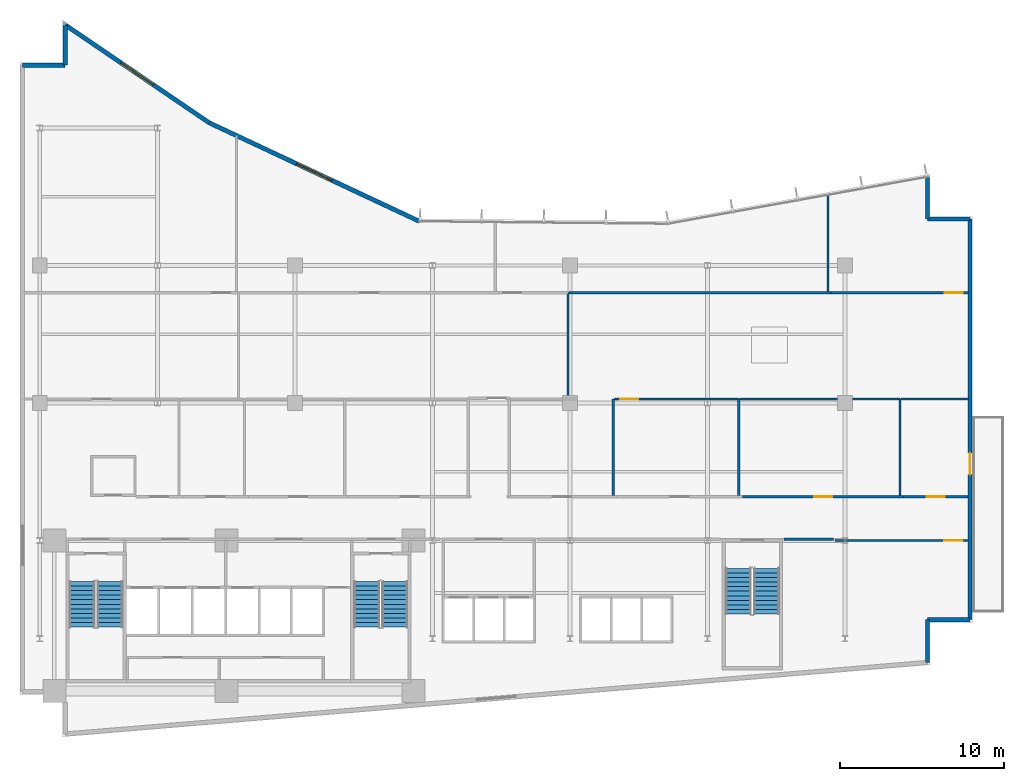
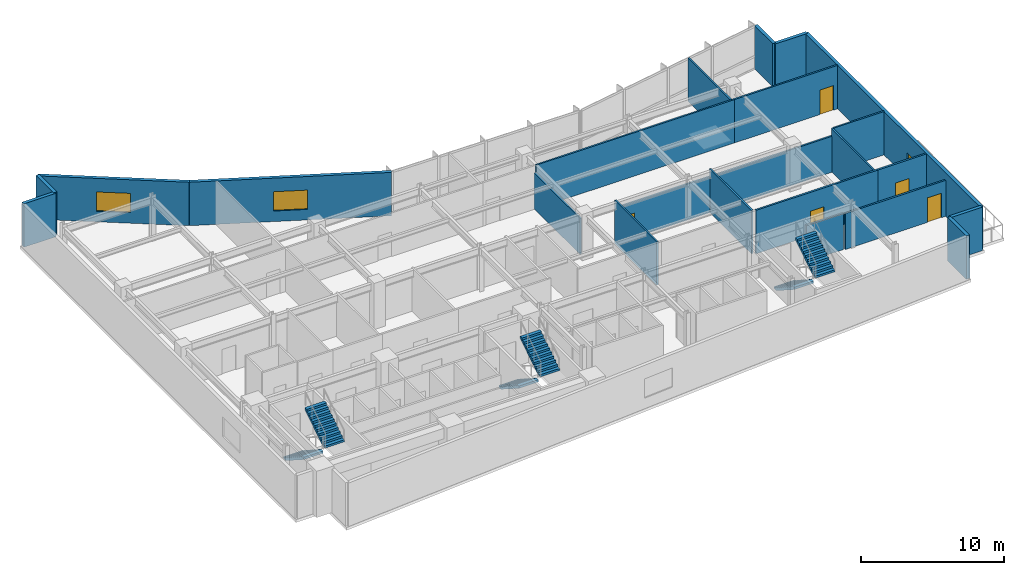
# One storey, part 12 of 18: 23 walls, 6 doors, 6 stair flights, 2 windows, 8 openings, 3 elements without a shape of their own.
"""IFC4 building model written with IfcOpenShell, lengths in metres."""

from ifc_helpers import new_model, si_unit, direction, frame, frame_2d, origin, place, context, subcontext, project, spatial, polyline, rectangle, outline, extrude, material, layer, layer_set, type_object, element, fill, aggregate, save


model = new_model("IFC4")

# Units and contexts
model_context = context("Model", 3, precision=1e-05, world=origin(), true_north=direction((0.0, 1.0)))
body_context = subcontext(model_context, "Body", "Model", "MODEL_VIEW")
ifc_project = project(units=[si_unit("LENGTHUNIT", "METRE"), si_unit("AREAUNIT", "SQUARE_METRE"), si_unit("VOLUMEUNIT", "CUBIC_METRE"), si_unit("PLANEANGLEUNIT", "RADIAN"), si_unit("MASSUNIT", "GRAM", prefix="KILO")], contexts=[model_context])

# Site, building, storey
site_placement = place(None, origin())
site = spatial("IfcSite", under=ifc_project, at=site_placement, CompositionType="ELEMENT")
building_placement = place(site_placement, origin())
building = spatial("IfcBuilding", under=site, at=building_placement, Name="Varnakote Quay Hospital", CompositionType="ELEMENT")
storey_placement = place(building_placement, frame((0.0, 0.0, 30.39990234375)))
storey = spatial("IfcBuildingStorey", under=building, at=storey_placement, Name="L07", CompositionType="ELEMENT", Elevation=30.39990234375)

# Walls
ifc_material_1 = material(Name="Fire-rated acoustic gypsum stud wall", Category="gypsum")
ifc_layer_1 = layer(ifc_material_1, 0.159912109375)
ifc_layer_set_1 = layer_set([ifc_layer_1], Name="Fire-rated acoustic gypsum stud wall")
wall_type_1 = type_object("IfcWallType", Name="WL-COMP-160", PredefinedType="PARTITIONING", material=ifc_layer_set_1)
wall_1_placement = place(storey_placement, frame((46.689208984375, 12.080078125, 0.0), z_axis=(0.0, 0.0, 1.0), x_axis=(1.0, 0.0, 0.0)))
element("IfcWall", 1, at=wall_1_placement, inside=storey, type_object=wall_type_1, Name="L07 Corridor South Gap Wall", PredefinedType="PARTITIONING", context=body_context, shape_type="SweptSolid", body=[
    extrude(rectangle(XDim=3.0107421875, YDim=0.159912109375, at=frame_2d((1.50537109375, 0.0))), origin(), (0.0, 0.0, 1.0), 3.072998046875),
])
ifc_material_2 = material(Name="Precast concrete N50 (f'c 50 MPa)", Category="concrete")
ifc_layer_2 = layer(ifc_material_2, 0.260009765625)
ifc_layer_set_2 = layer_set([ifc_layer_2], Name="Precast concrete N50 (f'c 50 MPa)")
wall_type_2 = type_object("IfcWallType", Name="WL-EXT-BRICK-260", PredefinedType="STANDARD", material=ifc_layer_set_2)
wall_2_placement = place(storey_placement, frame((55.43994140625, 4.54736328125, 0.0), z_axis=(0.0, 0.0, 1.0), x_axis=(0.0, 1.0, 0.0)))
element("IfcWall", 2, at=wall_2_placement, inside=storey, type_object=wall_type_2, Name="L07 Brick-Faced Precast Exterior Wall", PredefinedType="STANDARD", context=body_context, shape_type="SweptSolid", body=[
    extrude(rectangle(XDim=2.612548828125, YDim=0.260009765625, at=frame_2d((1.30615234375, 0.0))), origin(), (0.0, 0.0, 1.0), 3.710205078125),
])
wall_3_placement = place(storey_placement, frame((55.43994140625, 7.159912109375, 0.0), z_axis=(0.0, 0.0, 1.0), x_axis=(1.0, 0.0, 0.0)))
element("IfcWall", 3, at=wall_3_placement, inside=storey, type_object=wall_type_2, Name="L07 Brick-Faced Precast Exterior Wall", PredefinedType="STANDARD", context=body_context, shape_type="SweptSolid", body=[
    extrude(rectangle(XDim=2.60009765625, YDim=0.260009765625, at=frame_2d((1.300048828125, 0.0))), origin(), (0.0, 0.0, 1.0), 3.710205078125),
])

# Wall, opening, door
wall_4_placement = place(storey_placement, frame((58.0400390625, 7.159912109375, 0.0), z_axis=(0.0, 0.0, 1.0), x_axis=(0.0, 1.0, 0.0)))
wall_4 = element("IfcWall", 4, at=wall_4_placement, inside=storey, type_object=wall_type_2, Name="L07 Healing Terrace Portal Brick Wall", PredefinedType="STANDARD", context=body_context, shape_type="SweptSolid", body=[
    extrude(rectangle(XDim=24.47998046875, YDim=0.260009765625, at=frame_2d((12.239990234375, 0.0))), origin(), (0.0, 0.0, 1.0), 3.710205078125),
])
opening_1_placement = place(wall_4_placement, frame((8.8701171875, 0.0, 0.0)))
opening_1 = element("IfcOpeningElement", 5, at=opening_1_placement, cuts=wall_4, Name="Opening DT-L07", PredefinedType="OPENING", context=body_context, shape_type="SweptSolid", body=[
    extrude(rectangle(XDim=1.300048828125, YDim=2.14990234375, at=frame_2d((0.64990234375, 1.074951171875))), frame((0.0, 0.139892578125, 0.0), z_axis=(0.0, -1.0, 0.0), x_axis=(1.0, 0.0, 0.0)), (0.0, 0.0, 1.0), 0.280029296875),
])
ifc_material_3 = material(Name="Anodised aluminium glazed terrace door", Category="aluminium")
door_type_1 = type_object("IfcDoorType", Name="DR-EXT-TERR-1300x2150", OperationType="NOTDEFINED", PredefinedType="DOOR", material=ifc_material_3)
door_1_placement = place(opening_1_placement, origin())
door_1 = element("IfcDoor", 6, at=door_1_placement, inside=storey, type_object=door_type_1, Name="L07 Waterfront Healing Terrace Door", OperationType="SINGLE_SWING_RIGHT", OverallHeight=2.14990234375, OverallWidth=1.300048828125, PredefinedType="DOOR", context=body_context, shape_type="SweptSolid", body=[
    extrude(rectangle(XDim=1.300048828125, YDim=2.14990234375, at=frame_2d((0.64990234375, 1.074951171875))), frame((0.0, 0.02490234375, 0.0), z_axis=(0.0, -1.0, 0.0), x_axis=(1.0, 0.0, 0.0)), (0.0, 0.0, 1.0), 0.050048828125),
])
fill(opening_1, door_1)

# Walls
wall_5_placement = place(storey_placement, frame((58.0400390625, 31.639892578125, 0.0), z_axis=(0.0, 0.0, 1.0), x_axis=(-1.0, 0.0, 0.0)))
element("IfcWall", 7, at=wall_5_placement, inside=storey, type_object=wall_type_2, Name="L07 Brick-Faced Precast Exterior Wall", PredefinedType="STANDARD", context=body_context, shape_type="SweptSolid", body=[
    extrude(rectangle(XDim=2.60009765625, YDim=0.260009765625, at=frame_2d((1.300048828125, 0.0))), origin(), (0.0, 0.0, 1.0), 3.710205078125),
])
wall_6_placement = place(storey_placement, frame((55.43994140625, 31.639892578125, 0.0), z_axis=(0.0, 0.0, 1.0), x_axis=(0.0, 1.0, 0.0)))
element("IfcWall", 8, at=wall_6_placement, inside=storey, type_object=wall_type_2, Name="L07 Brick-Faced Precast Exterior Wall", PredefinedType="STANDARD", context=body_context, shape_type="SweptSolid", body=[
    extrude(rectangle(XDim=2.568603515625, YDim=0.260009765625, at=frame_2d((1.2841796875, 0.0))), origin(), (0.0, 0.0, 1.0), 3.710205078125),
])

# Wall, opening, window
wall_7_placement = place(storey_placement, frame((24.40771484375, 31.4921875, 0.0), z_axis=(0.0, 0.0, 1.0), x_axis=(-0.905396522918, 0.424566998585, 0.0)))
wall_7 = element("IfcWall", 9, at=wall_7_placement, inside=storey, type_object=wall_type_2, Name="L07 Brick-Faced Precast Exterior Wall", PredefinedType="STANDARD", context=body_context, shape_type="SweptSolid", body=[
    extrude(rectangle(XDim=14.189453125, YDim=0.260009765625, at=frame_2d((7.0947265625, 0.0))), origin(), (0.0, 0.0, 1.0), 3.710205078125),
])
opening_2_placement = place(wall_7_placement, frame((5.894775390625, 0.0, 0.89990234375)))
opening_2 = element("IfcOpeningElement", 10, at=opening_2_placement, cuts=wall_7, Name="Opening WN-0043", PredefinedType="OPENING", context=body_context, shape_type="SweptSolid", body=[
    extrude(rectangle(XDim=2.39990234375, YDim=1.64990234375, at=frame_2d((1.199951171875, 0.824951171875))), frame((0.0, 0.139892578125, 0.0), z_axis=(0.0, -1.0, 0.0), x_axis=(1.0, 0.0, 0.0)), (0.0, 0.0, 1.0), 0.280029296875),
])
ifc_material_4 = material(Name="Double-glazed low-E solar glass", Category="glass")
window_type = type_object("IfcWindowType", Name="WIN-CLIN-2400x1650", PartitioningType="SINGLE_PANEL", PredefinedType="WINDOW", material=ifc_material_4)
window_1_placement = place(opening_2_placement, origin())
window_1 = element("IfcWindow", 11, at=window_1_placement, inside=storey, type_object=window_type, Name="L07 Solar-Control Clinical Window", OverallHeight=1.64990234375, OverallWidth=2.39990234375, PartitioningType="SINGLE_PANEL", PredefinedType="WINDOW", context=body_context, shape_type="SweptSolid", body=[
    extrude(rectangle(XDim=2.39990234375, YDim=1.64990234375, at=frame_2d((1.199951171875, 0.824951171875))), frame((0.0, 0.030029296875, 0.0), z_axis=(0.0, -1.0, 0.0), x_axis=(1.0, 0.0, 0.0)), (0.0, 0.0, 1.0), 0.06005859375),
])
fill(opening_2, window_1)

wall_8_placement = place(storey_placement, frame((11.560546875, 37.5166015625, 0.0), z_axis=(0.0, 0.0, 1.0), x_axis=(-0.827064743936, 0.562106670782, 0.0)))
wall_8 = element("IfcWall", 12, at=wall_8_placement, inside=storey, type_object=wall_type_2, Name="L07 Brick-Faced Precast Exterior Wall", PredefinedType="STANDARD", context=body_context, shape_type="SweptSolid", body=[
    extrude(rectangle(XDim=10.640625, YDim=0.260009765625, at=frame_2d((5.3203125, 0.0))), origin(), (0.0, 0.0, 1.0), 3.710205078125),
])
opening_3_placement = place(wall_8_placement, frame((4.120361328125, 0.0, 0.89990234375)))
opening_3 = element("IfcOpeningElement", 13, at=opening_3_placement, cuts=wall_8, Name="Opening WN-0044", PredefinedType="OPENING", context=body_context, shape_type="SweptSolid", body=[
    extrude(rectangle(XDim=2.39990234375, YDim=1.64990234375, at=frame_2d((1.199951171875, 0.824951171875))), frame((0.0, 0.139892578125, 0.0), z_axis=(0.0, -1.0, 0.0), x_axis=(1.0, 0.0, 0.0)), (0.0, 0.0, 1.0), 0.280029296875),
])
window_2_placement = place(opening_3_placement, origin())
window_2 = element("IfcWindow", 14, at=window_2_placement, inside=storey, type_object=window_type, Name="L07 Solar-Control Clinical Window", OverallHeight=1.64990234375, OverallWidth=2.39990234375, PartitioningType="SINGLE_PANEL", PredefinedType="WINDOW", context=body_context, shape_type="SweptSolid", body=[
    extrude(rectangle(XDim=2.39990234375, YDim=1.64990234375, at=frame_2d((1.199951171875, 0.824951171875))), frame((0.0, 0.030029296875, 0.0), z_axis=(0.0, -1.0, 0.0), x_axis=(1.0, 0.0, 0.0)), (0.0, 0.0, 1.0), 0.06005859375),
])
fill(opening_3, window_2)

# Walls
wall_9_placement = place(storey_placement, frame((2.760009765625, 43.497802734375, 0.0), z_axis=(0.0, 0.0, 1.0), x_axis=(0.0, -1.0, 0.0)))
element("IfcWall", 15, at=wall_9_placement, inside=storey, type_object=wall_type_2, Name="L07 Brick-Faced Precast Exterior Wall", PredefinedType="STANDARD", context=body_context, shape_type="SweptSolid", body=[
    extrude(rectangle(XDim=2.457763671875, YDim=0.260009765625, at=frame_2d((1.22900390625, 0.0))), origin(), (0.0, 0.0, 1.0), 3.710205078125),
])
wall_10_placement = place(storey_placement, frame((2.760009765625, 41.0400390625, 0.0), z_axis=(0.0, 0.0, 1.0), x_axis=(-1.0, 0.0, 0.0)))
element("IfcWall", 16, at=wall_10_placement, inside=storey, type_object=wall_type_2, Name="L07 Brick-Faced Precast Exterior Wall", PredefinedType="STANDARD", context=body_context, shape_type="SweptSolid", body=[
    extrude(rectangle(XDim=2.60009765625, YDim=0.260009765625, at=frame_2d((1.300048828125, 0.0))), origin(), (0.0, 0.0, 1.0), 3.710205078125),
])
ifc_material_5 = material(Name="Smoke-proof clinical partition", Category="gypsum")
ifc_layer_3 = layer(ifc_material_5, 0.135009765625)
ifc_layer_set_3 = layer_set([ifc_layer_3], Name="Smoke-proof clinical partition")
wall_type_3 = type_object("IfcWallType", Name="WL-SMOKE-135", PredefinedType="PARTITIONING", material=ifc_layer_set_3)
for number, where, z_axis, x_axis, name in (
    (17, (36.25, 14.760009765625, 0.0), (0.0, 0.0, 1.0), (0.0, 1.0, 0.0), "L07 Clinical Interior Partition"),
    (18, (43.909912109375, 14.760009765625, 0.0), (0.0, 0.0, 1.0), (0.0, 1.0, 0.0), "L07 Clinical Interior Partition"),
):
    element("IfcWall", number, at=place(storey_placement, frame(where, z_axis=z_axis, x_axis=x_axis)), inside=storey, type_object=wall_type_3, Name=name, PredefinedType="PARTITIONING", context=body_context, shape_type="SweptSolid", body=[
        extrude(rectangle(XDim=5.8798828125, YDim=0.135009765625, at=frame_2d((2.93994140625, 0.0))), origin(), (0.0, 0.0, 1.0), 3.710205078125),
    ])

# Wall, opening, door
wall_11_placement = place(storey_placement, frame((43.909912109375, 20.639892578125, 0.0), z_axis=(0.0, 0.0, 1.0), x_axis=(-1.0, 0.0, 0.0)))
wall_11 = element("IfcWall", 19, at=wall_11_placement, inside=storey, type_object=wall_type_3, Name="L07 Clinical Interior Partition", PredefinedType="PARTITIONING", context=body_context, shape_type="SweptSolid", body=[
    extrude(rectangle(XDim=7.602294921875, YDim=0.135009765625, at=frame_2d((3.80126953125, 0.0))), origin(), (0.0, 0.0, 1.0), 3.072998046875),
])
opening_4_placement = place(wall_11_placement, frame((6.14990234375, 0.0, 0.0)))
opening_4 = element("IfcOpeningElement", 20, at=opening_4_placement, cuts=wall_11, Name="Opening D-L07-MD10", PredefinedType="OPENING", context=body_context, shape_type="SweptSolid", body=[
    extrude(rectangle(XDim=1.10009765625, YDim=2.10009765625, at=frame_2d((0.550048828125, 1.050048828125))), frame((0.0, 0.077392578125, 0.0), z_axis=(0.0, -1.0, 0.0), x_axis=(1.0, 0.0, 0.0)), (0.0, 0.0, 1.0), 0.155029296875),
])
ifc_material_6 = material(Name="Acoustic timber clinical consult door", Category="wood")
door_type_2 = type_object("IfcDoorType", Name="DR-CLIN-FD30S-1100x2100", OperationType="NOTDEFINED", PredefinedType="DOOR", material=ifc_material_6)
door_2_placement = place(opening_4_placement, origin())
door_2 = element("IfcDoor", 21, at=door_2_placement, inside=storey, type_object=door_type_2, Name="L07 Endoscopy Infusion Treatment Suite Door", OperationType="SINGLE_SWING_LEFT", OverallHeight=2.10009765625, OverallWidth=1.10009765625, PredefinedType="DOOR", context=body_context, shape_type="SweptSolid", body=[
    extrude(rectangle(XDim=1.10009765625, YDim=2.10009765625, at=frame_2d((0.550048828125, 1.050048828125))), frame((0.0, 0.02490234375, 0.0), z_axis=(0.0, -1.0, 0.0), x_axis=(1.0, 0.0, 0.0)), (0.0, 0.0, 1.0), 0.050048828125),
])
fill(opening_4, door_2)

# Walls
wall_12_placement = place(storey_placement, frame((53.760009765625, 14.760009765625, 0.0), z_axis=(0.0, 0.0, 1.0), x_axis=(0.0, 1.0, 0.0)))
element("IfcWall", 22, at=wall_12_placement, inside=storey, type_object=wall_type_3, Name="L07 Clinical Interior Partition", PredefinedType="PARTITIONING", context=body_context, shape_type="SweptSolid", body=[
    extrude(rectangle(XDim=5.8798828125, YDim=0.135009765625, at=frame_2d((2.93994140625, 0.0))), origin(), (0.0, 0.0, 1.0), 3.710205078125),
])
wall_13_placement = place(storey_placement, frame((53.760009765625, 20.639892578125, 0.0), z_axis=(0.0, 0.0, 1.0), x_axis=(-1.0, 0.0, 0.0)))
element("IfcWall", 23, at=wall_13_placement, inside=storey, type_object=wall_type_3, Name="L07 Clinical Interior Partition", PredefinedType="PARTITIONING", context=body_context, shape_type="SweptSolid", body=[
    extrude(rectangle(XDim=9.79248046875, YDim=0.135009765625, at=frame_2d((4.896240234375, 0.0))), origin(), (0.0, 0.0, 1.0), 3.072998046875),
])
wall_14_placement = place(storey_placement, frame((57.9599609375, 20.639892578125, 0.0), z_axis=(0.0, 0.0, 1.0), x_axis=(-1.0, 0.0, 0.0)))
element("IfcWall", 24, at=wall_14_placement, inside=storey, type_object=wall_type_3, Name="L07 Clinical Interior Partition", PredefinedType="PARTITIONING", context=body_context, shape_type="SweptSolid", body=[
    extrude(rectangle(XDim=4.142578125, YDim=0.135009765625, at=frame_2d((2.0712890625, 0.0))), origin(), (0.0, 0.0, 1.0), 3.710205078125),
])
wall_15_placement = place(storey_placement, frame((33.489990234375, 20.697509765625, 0.0), z_axis=(0.0, 0.0, 1.0), x_axis=(0.0, 1.0, 0.0)))
element("IfcWall", 25, at=wall_15_placement, inside=storey, type_object=wall_type_3, Name="L07 Clinical Interior Partition", PredefinedType="PARTITIONING", context=body_context, shape_type="SweptSolid", body=[
    extrude(rectangle(XDim=6.4423828125, YDim=0.135009765625, at=frame_2d((3.22119140625, 0.0))), origin(), (0.0, 0.0, 1.0), 3.072998046875),
])
wall_16_placement = place(storey_placement, frame((49.577392578125, 27.139892578125, 0.0), z_axis=(0.0, 0.0, 1.0), x_axis=(-1.0, 0.0, 0.0)))
element("IfcWall", 26, at=wall_16_placement, inside=storey, type_object=wall_type_3, Name="L07 Clinical Interior Partition", PredefinedType="PARTITIONING", context=body_context, shape_type="SweptSolid", body=[
    extrude(rectangle(XDim=16.02978515625, YDim=0.135009765625, at=frame_2d((8.014892578125, 0.0))), origin(), (0.0, 0.0, 1.0), 3.710205078125),
])

# Wall, opening, door
wall_17_placement = place(storey_placement, frame((57.9599609375, 27.139892578125, 0.0), z_axis=(0.0, 0.0, 1.0), x_axis=(-1.0, 0.0, 0.0)))
wall_17 = element("IfcWall", 27, at=wall_17_placement, inside=storey, type_object=wall_type_3, Name="L07 Clinical Interior Partition", PredefinedType="PARTITIONING", context=body_context, shape_type="SweptSolid", body=[
    extrude(rectangle(XDim=8.38037109375, YDim=0.135009765625, at=frame_2d((4.190185546875, 0.0))), origin(), (0.0, 0.0, 1.0), 3.710205078125),
])
opening_5_placement = place(wall_17_placement, frame((0.3720703125, 0.0, 0.0)))
opening_5 = element("IfcOpeningElement", 28, at=opening_5_placement, cuts=wall_17, Name="Opening D-L07-MD14", PredefinedType="OPENING", context=body_context, shape_type="SweptSolid", body=[
    extrude(rectangle(XDim=1.10009765625, YDim=2.10009765625, at=frame_2d((0.550048828125, 1.050048828125))), frame((0.0, 0.077392578125, 0.0), z_axis=(0.0, -1.0, 0.0), x_axis=(1.0, 0.0, 0.0)), (0.0, 0.0, 1.0), 0.155029296875),
])
door_3_placement = place(opening_5_placement, origin())
door_3 = element("IfcDoor", 29, at=door_3_placement, inside=storey, type_object=door_type_2, Name="L07 Endoscopy Infusion Treatment Suite Door", OperationType="SINGLE_SWING_LEFT", OverallHeight=2.10009765625, OverallWidth=1.10009765625, PredefinedType="DOOR", context=body_context, shape_type="SweptSolid", body=[
    extrude(rectangle(XDim=1.10009765625, YDim=2.10009765625, at=frame_2d((0.550048828125, 1.050048828125))), frame((0.0, 0.02490234375, 0.0), z_axis=(0.0, -1.0, 0.0), x_axis=(1.0, 0.0, 0.0)), (0.0, 0.0, 1.0), 0.050048828125),
])
fill(opening_5, door_3)

# Wall
wall_18_placement = place(storey_placement, frame((49.3701171875, 27.197509765625, 0.0), z_axis=(0.0, 0.0, 1.0), x_axis=(0.0, 1.0, 0.0)))
element("IfcWall", 30, at=wall_18_placement, inside=storey, type_object=wall_type_3, Name="L07 Clinical Interior Partition", PredefinedType="PARTITIONING", context=body_context, shape_type="SweptSolid", body=[
    extrude(rectangle(XDim=5.9140625, YDim=0.135009765625, at=frame_2d((2.95703125, 0.0))), origin(), (0.0, 0.0, 1.0), 3.710205078125),
])

# Wall, opening, door
ifc_material_7 = material(Name="Fire-rated clinical gypsum partition", Category="gypsum")
ifc_layer_4 = layer(ifc_material_7, 0.14990234375)
ifc_layer_set_4 = layer_set([ifc_layer_4], Name="Fire-rated clinical gypsum partition")
wall_type_4 = type_object("IfcWallType", Name="WL-WARD-150", PredefinedType="PARTITIONING", material=ifc_layer_set_4)
wall_19_placement = place(storey_placement, frame((57.919921875, 12.0, 0.0), z_axis=(0.0, 0.0, 1.0), x_axis=(-1.0, 0.0, 0.0)))
wall_19 = element("IfcWall", 31, at=wall_19_placement, inside=storey, type_object=wall_type_4, Name="L07 Clinical Interior Partition", PredefinedType="PARTITIONING", context=body_context, shape_type="SweptSolid", body=[
    extrude(rectangle(XDim=8.119873046875, YDim=0.14990234375, at=frame_2d((4.06005859375, 0.0))), origin(), (0.0, 0.0, 1.0), 3.072998046875),
])
opening_6_placement = place(wall_19_placement, frame((0.365478515625, 0.0, 0.0)))
opening_6 = element("IfcOpeningElement", 32, at=opening_6_placement, cuts=wall_19, Name="Opening D-L07-SE1", PredefinedType="OPENING", context=body_context, shape_type="SweptSolid", body=[
    extrude(rectangle(XDim=1.10009765625, YDim=2.10009765625, at=frame_2d((0.550048828125, 1.050048828125))), frame((0.0, 0.0849609375, 0.0), z_axis=(0.0, -1.0, 0.0), x_axis=(1.0, 0.0, 0.0)), (0.0, 0.0, 1.0), 0.169921875),
])
door_4_placement = place(opening_6_placement, origin())
door_4 = element("IfcDoor", 33, at=door_4_placement, inside=storey, type_object=door_type_2, Name="L07 Clinical Biomedical Engineering Office Door", OperationType="SINGLE_SWING_RIGHT", OverallHeight=2.10009765625, OverallWidth=1.10009765625, PredefinedType="DOOR", context=body_context, shape_type="SweptSolid", body=[
    extrude(rectangle(XDim=1.10009765625, YDim=2.10009765625, at=frame_2d((0.550048828125, 1.050048828125))), frame((0.0, 0.02490234375, 0.0), z_axis=(0.0, -1.0, 0.0), x_axis=(1.0, 0.0, 0.0)), (0.0, 0.0, 1.0), 0.050048828125),
])
fill(opening_6, door_4)

wall_20_placement = place(storey_placement, frame((53.986083984375, 14.679931640625, 0.0), z_axis=(0.0, 0.0, 1.0), x_axis=(-1.0, 0.0, 0.0)))
wall_20 = element("IfcWall", 34, at=wall_20_placement, inside=storey, type_object=wall_type_4, Name="L07 Clinical Interior Partition", PredefinedType="PARTITIONING", context=body_context, shape_type="SweptSolid", body=[
    extrude(rectangle(XDim=9.84814453125, YDim=0.14990234375, at=frame_2d((4.924072265625, 0.0))), origin(), (0.0, 0.0, 1.0), 3.710205078125),
])
opening_7_placement = place(wall_20_placement, frame((4.3740234375, 0.0, 0.0)))
opening_7 = element("IfcOpeningElement", 35, at=opening_7_placement, cuts=wall_20, Name="Opening D-L07-MD07", PredefinedType="OPENING", context=body_context, shape_type="SweptSolid", body=[
    extrude(rectangle(XDim=1.10009765625, YDim=2.10009765625, at=frame_2d((0.550048828125, 1.050048828125))), frame((0.0, 0.0849609375, 0.0), z_axis=(0.0, -1.0, 0.0), x_axis=(1.0, 0.0, 0.0)), (0.0, 0.0, 1.0), 0.169921875),
])
door_5_placement = place(opening_7_placement, origin())
door_5 = element("IfcDoor", 36, at=door_5_placement, inside=storey, type_object=door_type_2, Name="L07 Clinical Pharmacy Preparation Pantry Door", OperationType="SINGLE_SWING_LEFT", OverallHeight=2.10009765625, OverallWidth=1.10009765625, PredefinedType="DOOR", context=body_context, shape_type="SweptSolid", body=[
    extrude(rectangle(XDim=1.10009765625, YDim=2.10009765625, at=frame_2d((0.550048828125, 1.050048828125))), frame((0.0, 0.02490234375, 0.0), z_axis=(0.0, -1.0, 0.0), x_axis=(1.0, 0.0, 0.0)), (0.0, 0.0, 1.0), 0.050048828125),
])
fill(opening_7, door_5)

wall_21_placement = place(storey_placement, frame((57.919921875, 14.679931640625, 0.0), z_axis=(0.0, 0.0, 1.0), x_axis=(-1.0, 0.0, 0.0)))
wall_21 = element("IfcWall", 37, at=wall_21_placement, inside=storey, type_object=wall_type_4, Name="L07 Clinical Interior Partition", PredefinedType="PARTITIONING", context=body_context, shape_type="SweptSolid", body=[
    extrude(rectangle(XDim=3.931884765625, YDim=0.14990234375, at=frame_2d((1.9658203125, 0.0))), origin(), (0.0, 0.0, 1.0), 3.710205078125),
])
opening_8_placement = place(wall_21_placement, frame((1.416015625, 0.0, 0.0)))
opening_8 = element("IfcOpeningElement", 38, at=opening_8_placement, cuts=wall_21, Name="Opening D-L07-DLNG", PredefinedType="OPENING", context=body_context, shape_type="SweptSolid", body=[
    extrude(rectangle(XDim=1.10009765625, YDim=2.10009765625, at=frame_2d((0.550048828125, 1.050048828125))), frame((0.0, 0.0849609375, 0.0), z_axis=(0.0, -1.0, 0.0), x_axis=(1.0, 0.0, 0.0)), (0.0, 0.0, 1.0), 0.169921875),
])
door_6_placement = place(opening_8_placement, origin())
door_6 = element("IfcDoor", 39, at=door_6_placement, inside=storey, type_object=door_type_2, Name="L07 Waterfront Patient & Family Dayroom Door", OperationType="SINGLE_SWING_RIGHT", OverallHeight=2.10009765625, OverallWidth=1.10009765625, PredefinedType="DOOR", context=body_context, shape_type="SweptSolid", body=[
    extrude(rectangle(XDim=1.10009765625, YDim=2.10009765625, at=frame_2d((0.550048828125, 1.050048828125))), frame((0.0, 0.02490234375, 0.0), z_axis=(0.0, -1.0, 0.0), x_axis=(1.0, 0.0, 0.0)), (0.0, 0.0, 1.0), 0.050048828125),
])
fill(opening_8, door_6)

# Stair, stair flights
ifc_material_8 = material(Name="Concrete N40 (f'c 40 MPa)", Category="concrete")
stair_type = type_object("IfcStairType", Name="STR-CORE-1580", PredefinedType="HALF_TURN_STAIR", material=ifc_material_8)
stair_1_placement = place(storey_placement, origin())
stair_1 = element("IfcStair", 40, at=stair_1_placement, inside=storey, type_object=stair_type, Name="L07 Fire-Isolated Exit Stair ST-01", PredefinedType="HALF_TURN_STAIR")
ifc_material_9 = material(Name="Concrete N40 (f'c 40 MPa)", Category="concrete")
ifc_layer_5 = layer(ifc_material_9, 0.159912109375)
ifc_layer_set_5 = layer_set([ifc_layer_5], Name="Concrete N40 (f'c 40 MPa)")
stair_flight_type = type_object("IfcStairFlightType", Name="FLT-CORE-1580", PredefinedType="STRAIGHT", material=ifc_layer_set_5)
stair_flight_1_placement = place(storey_placement, frame((3.7900390625, 9.5, 0.0), z_axis=(0.0, 0.0, 1.0), x_axis=(0.0, -1.0, 0.0)))
stair_flight_1 = element("IfcStairFlight", 41, at=stair_flight_1_placement, type_object=stair_flight_type, Name="ST-01 flight 1", NumberOfRisers=11, NumberOfTreads=10, PredefinedType="STRAIGHT", RiserHeight=0.179545455, TreadLength=0.28, context=body_context, shape_type="SweptSolid", body=[
    extrude(outline(polyline([(0.0, 0.0), (0.0, 0.179443359375), (0.280029296875, 0.179443359375), (0.280029296875, 0.359130859375), (0.56005859375, 0.359130859375), (0.56005859375, 0.53857421875), (0.840087890625, 0.53857421875), (0.840087890625, 0.71826171875), (1.1201171875, 0.71826171875), (1.1201171875, 0.897705078125), (1.39990234375, 0.897705078125), (1.39990234375, 1.077392578125), (1.679931640625, 1.077392578125), (1.679931640625, 1.2568359375), (1.9599609375, 1.2568359375), (1.9599609375, 1.436279296875), (2.239990234375, 1.436279296875), (2.239990234375, 1.615966796875), (2.52001953125, 1.615966796875), (2.52001953125, 1.79541015625), (2.800048828125, 1.79541015625), (2.800048828125, 1.97509765625), (2.800048828125, 1.60546875), (0.296142578125, 0.0), (0.0, 0.0)])), frame((0.0, 0.7900390625, 0.0), z_axis=(0.0, -1.0, 0.0), x_axis=(1.0, 0.0, 0.0)), (0.0, 0.0, 1.0), 1.580078125),
])
stair_flight_2_placement = place(storey_placement, frame((5.510009765625, 6.699951171875, 1.97509765625), z_axis=(0.0, 0.0, 1.0), x_axis=(0.0, 1.0, 0.0)))
stair_flight_2 = element("IfcStairFlight", 42, at=stair_flight_2_placement, type_object=stair_flight_type, Name="ST-01 flight 2", NumberOfRisers=11, NumberOfTreads=10, PredefinedType="STRAIGHT", RiserHeight=0.179545455, TreadLength=0.28, context=body_context, shape_type="SweptSolid", body=[
    extrude(outline(polyline([(0.0, 0.0), (0.0, 0.179443359375), (0.280029296875, 0.179443359375), (0.280029296875, 0.359130859375), (0.56005859375, 0.359130859375), (0.56005859375, 0.53857421875), (0.840087890625, 0.53857421875), (0.840087890625, 0.71826171875), (1.1201171875, 0.71826171875), (1.1201171875, 0.897705078125), (1.39990234375, 0.897705078125), (1.39990234375, 1.077392578125), (1.679931640625, 1.077392578125), (1.679931640625, 1.2568359375), (1.9599609375, 1.2568359375), (1.9599609375, 1.436279296875), (2.239990234375, 1.436279296875), (2.239990234375, 1.615966796875), (2.52001953125, 1.615966796875), (2.52001953125, 1.79541015625), (2.800048828125, 1.79541015625), (2.800048828125, 1.97509765625), (2.800048828125, 1.60546875), (0.296142578125, 0.0), (0.0, 0.0)])), frame((0.0, 0.7900390625, 0.0), z_axis=(0.0, -1.0, 0.0), x_axis=(1.0, 0.0, 0.0)), (0.0, 0.0, 1.0), 1.580078125),
])
aggregate(stair_1, [stair_flight_1, stair_flight_2])

stair_2_placement = place(storey_placement, origin())
stair_2 = element("IfcStair", 43, at=stair_2_placement, inside=storey, type_object=stair_type, Name="L07 Fire-Isolated Exit Stair ST-02", PredefinedType="HALF_TURN_STAIR")
stair_flight_3_placement = place(storey_placement, frame((21.18994140625, 9.5, 0.0), z_axis=(0.0, 0.0, 1.0), x_axis=(0.0, -1.0, 0.0)))
stair_flight_3 = element("IfcStairFlight", 44, at=stair_flight_3_placement, type_object=stair_flight_type, Name="ST-02 flight 1", NumberOfRisers=11, NumberOfTreads=10, PredefinedType="STRAIGHT", RiserHeight=0.179545455, TreadLength=0.28, context=body_context, shape_type="SweptSolid", body=[
    extrude(outline(polyline([(0.0, 0.0), (0.0, 0.179443359375), (0.280029296875, 0.179443359375), (0.280029296875, 0.359130859375), (0.56005859375, 0.359130859375), (0.56005859375, 0.53857421875), (0.840087890625, 0.53857421875), (0.840087890625, 0.71826171875), (1.1201171875, 0.71826171875), (1.1201171875, 0.897705078125), (1.39990234375, 0.897705078125), (1.39990234375, 1.077392578125), (1.679931640625, 1.077392578125), (1.679931640625, 1.2568359375), (1.9599609375, 1.2568359375), (1.9599609375, 1.436279296875), (2.239990234375, 1.436279296875), (2.239990234375, 1.615966796875), (2.52001953125, 1.615966796875), (2.52001953125, 1.79541015625), (2.800048828125, 1.79541015625), (2.800048828125, 1.97509765625), (2.800048828125, 1.60546875), (0.296142578125, 0.0), (0.0, 0.0)])), frame((0.0, 0.7900390625, 0.0), z_axis=(0.0, -1.0, 0.0), x_axis=(1.0, 0.0, 0.0)), (0.0, 0.0, 1.0), 1.580078125),
])
stair_flight_4_placement = place(storey_placement, frame((22.909912109375, 6.699951171875, 1.97509765625), z_axis=(0.0, 0.0, 1.0), x_axis=(0.0, 1.0, 0.0)))
stair_flight_4 = element("IfcStairFlight", 45, at=stair_flight_4_placement, type_object=stair_flight_type, Name="ST-02 flight 2", NumberOfRisers=11, NumberOfTreads=10, PredefinedType="STRAIGHT", RiserHeight=0.179545455, TreadLength=0.28, context=body_context, shape_type="SweptSolid", body=[
    extrude(outline(polyline([(0.0, 0.0), (0.0, 0.179443359375), (0.280029296875, 0.179443359375), (0.280029296875, 0.359130859375), (0.56005859375, 0.359130859375), (0.56005859375, 0.53857421875), (0.840087890625, 0.53857421875), (0.840087890625, 0.71826171875), (1.1201171875, 0.71826171875), (1.1201171875, 0.897705078125), (1.39990234375, 0.897705078125), (1.39990234375, 1.077392578125), (1.679931640625, 1.077392578125), (1.679931640625, 1.2568359375), (1.9599609375, 1.2568359375), (1.9599609375, 1.436279296875), (2.239990234375, 1.436279296875), (2.239990234375, 1.615966796875), (2.52001953125, 1.615966796875), (2.52001953125, 1.79541015625), (2.800048828125, 1.79541015625), (2.800048828125, 1.97509765625), (2.800048828125, 1.60546875), (0.296142578125, 0.0), (0.0, 0.0)])), frame((0.0, 0.7900390625, 0.0), z_axis=(0.0, -1.0, 0.0), x_axis=(1.0, 0.0, 0.0)), (0.0, 0.0, 1.0), 1.580078125),
])
aggregate(stair_2, [stair_flight_3, stair_flight_4])

stair_3_placement = place(storey_placement, origin())
stair_3 = element("IfcStair", 46, at=stair_3_placement, inside=storey, type_object=stair_type, Name="L07 Fire-Isolated Exit Stair ST-03", PredefinedType="HALF_TURN_STAIR")
stair_flight_5_placement = place(storey_placement, frame((43.889892578125, 10.300048828125, 0.0), z_axis=(0.0, 0.0, 1.0), x_axis=(0.0, -1.0, 0.0)))
stair_flight_5 = element("IfcStairFlight", 47, at=stair_flight_5_placement, type_object=stair_flight_type, Name="ST-03 flight 1", NumberOfRisers=11, NumberOfTreads=10, PredefinedType="STRAIGHT", RiserHeight=0.179545455, TreadLength=0.28, context=body_context, shape_type="SweptSolid", body=[
    extrude(outline(polyline([(0.0, 0.0), (0.0, 0.179443359375), (0.280029296875, 0.179443359375), (0.280029296875, 0.359130859375), (0.56005859375, 0.359130859375), (0.56005859375, 0.53857421875), (0.840087890625, 0.53857421875), (0.840087890625, 0.71826171875), (1.1201171875, 0.71826171875), (1.1201171875, 0.897705078125), (1.39990234375, 0.897705078125), (1.39990234375, 1.077392578125), (1.679931640625, 1.077392578125), (1.679931640625, 1.2568359375), (1.9599609375, 1.2568359375), (1.9599609375, 1.436279296875), (2.239990234375, 1.436279296875), (2.239990234375, 1.615966796875), (2.52001953125, 1.615966796875), (2.52001953125, 1.79541015625), (2.800048828125, 1.79541015625), (2.800048828125, 1.97509765625), (2.800048828125, 1.60546875), (0.296142578125, 0.0), (0.0, 0.0)])), frame((0.0, 0.7900390625, 0.0), z_axis=(0.0, -1.0, 0.0), x_axis=(1.0, 0.0, 0.0)), (0.0, 0.0, 1.0), 1.580078125),
])
stair_flight_6_placement = place(storey_placement, frame((45.610107421875, 7.5, 1.97509765625), z_axis=(0.0, 0.0, 1.0), x_axis=(0.0, 1.0, 0.0)))
stair_flight_6 = element("IfcStairFlight", 48, at=stair_flight_6_placement, type_object=stair_flight_type, Name="ST-03 flight 2", NumberOfRisers=11, NumberOfTreads=10, PredefinedType="STRAIGHT", RiserHeight=0.179545455, TreadLength=0.28, context=body_context, shape_type="SweptSolid", body=[
    extrude(outline(polyline([(0.0, 0.0), (0.0, 0.179443359375), (0.280029296875, 0.179443359375), (0.280029296875, 0.359130859375), (0.56005859375, 0.359130859375), (0.56005859375, 0.53857421875), (0.840087890625, 0.53857421875), (0.840087890625, 0.71826171875), (1.1201171875, 0.71826171875), (1.1201171875, 0.897705078125), (1.39990234375, 0.897705078125), (1.39990234375, 1.077392578125), (1.679931640625, 1.077392578125), (1.679931640625, 1.2568359375), (1.9599609375, 1.2568359375), (1.9599609375, 1.436279296875), (2.239990234375, 1.436279296875), (2.239990234375, 1.615966796875), (2.52001953125, 1.615966796875), (2.52001953125, 1.79541015625), (2.800048828125, 1.79541015625), (2.800048828125, 1.97509765625), (2.800048828125, 1.60546875), (0.296142578125, 0.0), (0.0, 0.0)])), frame((0.0, 0.7900390625, 0.0), z_axis=(0.0, -1.0, 0.0), x_axis=(1.0, 0.0, 0.0)), (0.0, 0.0, 1.0), 1.580078125),
])
aggregate(stair_3, [stair_flight_5, stair_flight_6])

save(model, "model.ifc")
